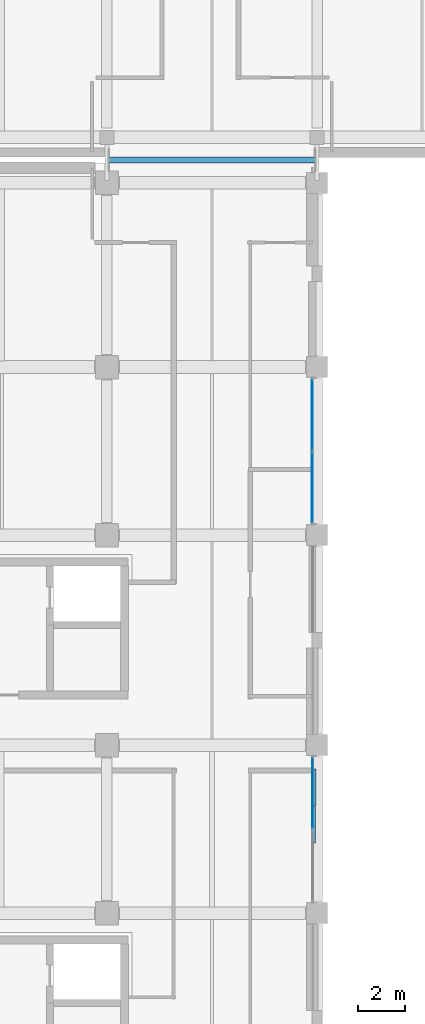
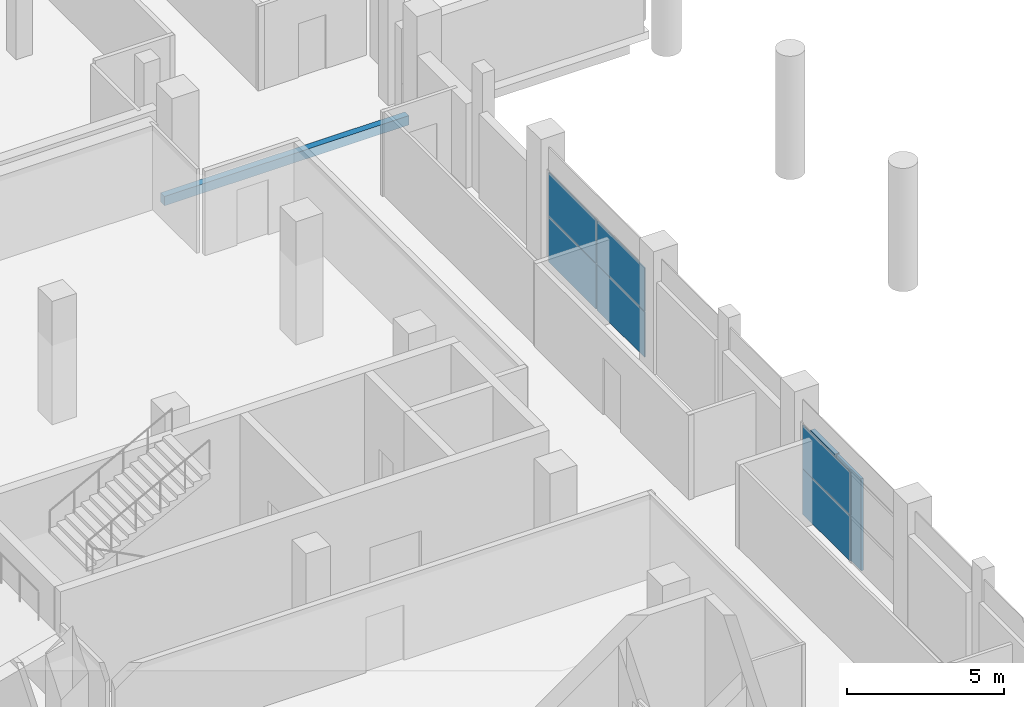
# One storey, part 47 of 100: 8 plates, 1 slab, 2 elements without a shape of their own.
"""IFC4 building model written with IfcOpenShell, lengths in metres."""

import ifcopenshell
import ifcopenshell.guid

model = None  # the IFC model being written
_history = None  # IfcOwnerHistory: only IFC2X3 demands one
_inside = {}  # id of a spatial element -> (the spatial element, [elements in it])
_under = {}  # id of a project, library or spatial element -> (it, [spatial elements below it])
_declared = {}  # id of a project -> (the project, [libraries it declares])
_typed = {}  # id of a type object -> (the type object, [elements of that type])
_made_of = {}  # id of a material, layer set ... -> (it, [elements and type objects made of it])


def new_model(schema):
    """Start an empty IFC model of exactly this schema.

    Asked for "IFC4X3", IfcOpenShell would pick the latest addendum, in which some entities
    have other attributes; the version numbers below select the first issue.
    IFC2X3 requires an IfcOwnerHistory on every rooted entity: one is made here for all.
    """
    global model, _history
    if schema == "IFC4X3":
        model = ifcopenshell.file(schema_version=(4, 3, 0, 0))
    else:
        model = ifcopenshell.file(schema=schema)
    _inside.clear()
    _under.clear()
    _declared.clear()
    _typed.clear()
    _made_of.clear()
    _history = None
    if model.schema == "IFC2X3":
        org = make("IfcOrganization", Name="unknown")
        user = make(
            "IfcPersonAndOrganization",
            ThePerson=make("IfcPerson", FamilyName="unknown"),
            TheOrganization=org,
        )
        app = make(
            "IfcApplication",
            ApplicationDeveloper=org,
            Version="unknown",
            ApplicationFullName="unknown",
            ApplicationIdentifier="unknown",
        )
        _history = make(
            "IfcOwnerHistory",
            OwningUser=user,
            OwningApplication=app,
            ChangeAction="ADDED",
            CreationDate=0,
        )
    return model


def make(cls, **values):
    """One entity of the class cls with the attributes given. An attribute that is None is left unset."""
    return model.create_entity(
        cls, **{name: value for name, value in values.items() if value is not None}
    )


def rooted(cls, **values):
    """An entity with a GlobalId (a new one), such as an element, a storey or a relation."""
    return make(cls, GlobalId=ifcopenshell.guid.new(), OwnerHistory=_history, **values)


def si_unit(unit_type, name, prefix=None):
    """IfcSIUnit, for example si_unit("LENGTHUNIT", "METRE", prefix="MILLI")."""
    return make("IfcSIUnit", UnitType=unit_type, Prefix=prefix, Name=name)


def assignment(units):
    """IfcUnitAssignment: the units of a project."""
    return None if units is None else make("IfcUnitAssignment", Units=units)


def point(xyz):
    """IfcCartesianPoint."""
    return None if xyz is None else make("IfcCartesianPoint", Coordinates=xyz)


def direction(xyz):
    """IfcDirection."""
    return None if xyz is None else make("IfcDirection", DirectionRatios=xyz)


def frame(location, z_axis=None, x_axis=None):
    """IfcAxis2Placement3D, a coordinate frame: its origin and axes. An axis left out is left unset."""
    return make(
        "IfcAxis2Placement3D",
        Location=point(location),
        Axis=direction(z_axis),
        RefDirection=direction(x_axis),
    )


def frame_2d(location, x_axis=None):
    """IfcAxis2Placement2D, a coordinate frame in the plane: its origin and x axis."""
    return make(
        "IfcAxis2Placement2D", Location=point(location), RefDirection=direction(x_axis)
    )


def origin():
    """The frame at (0, 0, 0) with its axes left unset."""
    return frame((0.0, 0.0, 0.0))


def origin_2d():
    """The frame at (0, 0) in the plane with its x axis left unset."""
    return frame_2d((0.0, 0.0))


def place(relative_to, where):
    """IfcLocalPlacement: puts the frame where relative to a parent placement (None: the world)."""
    return make(
        "IfcLocalPlacement", PlacementRelTo=relative_to, RelativePlacement=where
    )


def context(
    kind, dimensions, precision=None, world=None, true_north=None, identifier=None
):
    """IfcGeometricRepresentationContext, for example the 3D "Model" context."""
    return make(
        "IfcGeometricRepresentationContext",
        ContextIdentifier=identifier,
        ContextType=kind,
        CoordinateSpaceDimension=dimensions,
        Precision=precision,
        WorldCoordinateSystem=world,
        TrueNorth=true_north,
    )


def subcontext(parent, identifier, kind, view, scale=None):
    """IfcGeometricRepresentationSubContext, for example "Body" below "Model"."""
    return make(
        "IfcGeometricRepresentationSubContext",
        ContextIdentifier=identifier,
        ContextType=kind,
        ParentContext=parent,
        TargetScale=scale,
        TargetView=view,
    )


def project(units=None, contexts=None):
    """IfcProject with its units and contexts."""
    return rooted(
        "IfcProject",
        Name="project",
        RepresentationContexts=contexts,
        UnitsInContext=assignment(units),
    )


def spatial(cls, under=None, at=None, **own):
    """A site, building, storey or space (cls), placed at a placement, below another one or the project."""
    s = rooted(cls, ObjectPlacement=at, **own)
    if under is not None:
        _under.setdefault(under.id(), (under, []))[1].append(s)
    return s


def polyline(points):
    """IfcPolyline through the points."""
    return make("IfcPolyline", Points=[point(p) for p in points])


def profile(cls, at=None, kind="AREA", **sizes):
    """A parametric profile (cls). Its sizes go by their IFC names, for example OverallWidth=200.0."""
    return make(cls, ProfileType=kind, Position=at, **sizes)


def rectangle(**sizes):
    """IfcRectangleProfileDef."""
    return profile("IfcRectangleProfileDef", **sizes)


def outline(outer, holes=None, kind="AREA"):
    """IfcArbitraryClosedProfileDef: a profile drawn as a closed curve; with holes, ...WithVoids."""
    if holes is None:
        return make("IfcArbitraryClosedProfileDef", ProfileType=kind, OuterCurve=outer)
    return make(
        "IfcArbitraryProfileDefWithVoids",
        ProfileType=kind,
        OuterCurve=outer,
        InnerCurves=holes,
    )


def extrude(swept, where, along, depth):
    """IfcExtrudedAreaSolid: the profile swept, set in the frame where, extruded along a direction by depth."""
    return make(
        "IfcExtrudedAreaSolid",
        SweptArea=swept,
        Position=where,
        ExtrudedDirection=direction(along),
        Depth=depth,
    )


def shape(context_of_items, identifier, shape_type, items):
    """IfcShapeRepresentation: the items that make up one representation, for example the "Body"."""
    return make(
        "IfcShapeRepresentation",
        ContextOfItems=context_of_items,
        RepresentationIdentifier=identifier,
        RepresentationType=shape_type,
        Items=items,
    )


def material(Name=None, Category=None):
    """IfcMaterial."""
    return make("IfcMaterial", Name=Name, Category=Category)


def layer(
    of_material, thickness, ventilated=None, Name=None, Category=None, Priority=None
):
    """IfcMaterialLayer: one layer of a wall or slab, of a material (None: an air gap)."""
    return make(
        "IfcMaterialLayer",
        Material=of_material,
        LayerThickness=thickness,
        IsVentilated=ventilated,
        Name=Name,
        Category=Category,
        Priority=Priority,
    )


def layer_set(layers, Name=None):
    """IfcMaterialLayerSet."""
    return make("IfcMaterialLayerSet", MaterialLayers=layers, LayerSetName=Name)


def made_of(thing, what):
    """Note that an element or type object is made of a material, layer set ...; save() writes the relation."""
    if what is not None:
        _made_of.setdefault(what.id(), (what, []))[1].append(thing)
    return thing


def type_object(cls, material=None, **own):
    """A type object (cls), such as IfcWallType, which elements share."""
    return made_of(rooted(cls, **own), material)


def element(
    cls,
    number,
    at=None,
    inside=None,
    cuts=None,
    type_object=None,
    material=None,
    context=None,
    identifier="Body",
    shape_type=None,
    held_by="IfcProductDefinitionShape",
    body=None,
    shapes=None,
    **own,
):
    """One element of the class cls, such as IfcWall. Its Tag is "e" and its number.

    at: its placement. inside: the storey or other place that contains it. cuts: it is an
    opening in that element (IfcRelVoidsElement). A single representation is given by context,
    identifier, shape_type and body (its items); several are given by shapes. held_by: the class
    of the entity that holds the representations. save() writes the other relations.
    """
    e = rooted(cls, Tag="e%d" % number, ObjectPlacement=at, **own)
    if body is not None:
        shapes = [shape(context, identifier, shape_type, body)]
    if shapes is not None:
        e.Representation = make(held_by, Representations=shapes)
    if inside is not None:
        _inside.setdefault(inside.id(), (inside, []))[1].append(e)
    if cuts is not None:
        rooted(
            "IfcRelVoidsElement", RelatingBuildingElement=cuts, RelatedOpeningElement=e
        )
    if type_object is not None:
        _typed.setdefault(type_object.id(), (type_object, []))[1].append(e)
    return made_of(e, material)


def aggregate(whole, parts):
    """IfcRelAggregates: a whole, such as a stair, and the parts it consists of."""
    return rooted("IfcRelAggregates", RelatingObject=whole, RelatedObjects=parts)


def save(model, path):
    """Write the relations noted so far, then the file.

    IfcRelAggregates (storeys below a building ...), IfcRelContainedInSpatialStructure (elements
    in a storey), IfcRelDefinesByType, IfcRelAssociatesMaterial and IfcRelDeclares: one each for
    every whole, place, type object, material and project.
    """
    for whole, parts in _under.values():
        aggregate(whole, parts)
    for where, things in _inside.values():
        rooted(
            "IfcRelContainedInSpatialStructure",
            RelatedElements=things,
            RelatingStructure=where,
        )
    for kind, things in _typed.values():
        rooted("IfcRelDefinesByType", RelatedObjects=things, RelatingType=kind)
    for what, things in _made_of.values():
        rooted("IfcRelAssociatesMaterial", RelatedObjects=things, RelatingMaterial=what)
    for by, libraries in _declared.values():
        rooted("IfcRelDeclares", RelatingContext=by, RelatedDefinitions=libraries)
    model.write(path)


model = new_model("IFC4")

# Units and contexts
model_context = context("Model", 3, precision=1e-05, world=origin(), true_north=direction((0.0, 1.0)))
body_context = subcontext(model_context, "Body", "Model", "MODEL_VIEW")
ifc_project = project(units=[si_unit("LENGTHUNIT", "METRE"), si_unit("AREAUNIT", "SQUARE_METRE"), si_unit("VOLUMEUNIT", "CUBIC_METRE"), si_unit("PLANEANGLEUNIT", "RADIAN"), si_unit("MASSUNIT", "GRAM", prefix="KILO"), si_unit("THERMODYNAMICTEMPERATUREUNIT", "KELVIN"), si_unit("POWERUNIT", "WATT")], contexts=[model_context])

# Site, building, storey
site_placement = place(None, origin())
site = spatial("IfcSite", under=ifc_project, at=site_placement, CompositionType="ELEMENT")
building_placement = place(site_placement, origin())
building = spatial("IfcBuilding", under=site, at=building_placement, Name="Sindhuravela Promenade Stadium", CompositionType="ELEMENT")
storey_placement = place(building_placement, frame((0.0, 0.0, 4.800048828125)))
storey = spatial("IfcBuildingStorey", under=building, at=storey_placement, Name="L01", CompositionType="ELEMENT", Elevation=4.800048828125)

# Plates
ifc_material_1 = material(Name="Perforated terracotta celosia brick (15 MPa)", Category="masonry")
ifc_layer_1 = layer(ifc_material_1, 0.090087890625)
ifc_layer_set_1 = layer_set([ifc_layer_1], Name="Perforated terracotta celosia brick (15 MPa)")
plate_type_1 = type_object("IfcPlateType", Name="CL-SCR-01", PredefinedType="USERDEFINED", material=ifc_layer_set_1)
plate_1_placement = place(storey_placement, frame((206.8798828125, 97.39501953125, 0.0), z_axis=(0.0, 0.0, 1.0), x_axis=(0.0, -1.0, 0.0)))
element("IfcPlate", 1, at=plate_1_placement, inside=storey, type_object=plate_type_1, Name="Perforated brick celosia screen EAST L01-88", ObjectType="SCREEN PANEL", PredefinedType="USERDEFINED", context=body_context, shape_type="SweptSolid", body=[
    extrude(rectangle(XDim=1.56005859375, YDim=0.090087890625, at=origin_2d()), origin(), (0.0, 0.0, 1.0), 3.580078125),
])
ifc_layer_2 = layer(ifc_material_1, 0.1650390625)
ifc_layer_set_2 = layer_set([ifc_layer_2], Name="Perforated terracotta celosia brick (15 MPa)")
plate_type_2 = type_object("IfcPlateType", Name="CL-SCR-04", PredefinedType="USERDEFINED", material=ifc_layer_set_2)
plate_2_placement = place(storey_placement, frame((206.8798828125, 98.9951171875, 0.0), z_axis=(0.0, 0.0, 1.0), x_axis=(0.0, -1.0, 0.0)))
element("IfcPlate", 2, at=plate_2_placement, inside=storey, type_object=plate_type_2, Name="Perforated brick celosia screen EAST L01-87", ObjectType="SCREEN PANEL", PredefinedType="USERDEFINED", context=body_context, shape_type="SweptSolid", body=[
    extrude(rectangle(XDim=1.56005859375, YDim=0.1650390625, at=origin_2d()), origin(), (0.0, 0.0, 1.0), 3.580078125),
])

# Curtain wall, plates
ifc_material_2 = material(Name="Anodised architectural aluminium 6063-T6", Category="aluminium")
curtain_wall_type_1 = type_object("IfcCurtainWallType", Name="CW-MOD-1", PredefinedType="NOTDEFINED", material=ifc_material_2)
curtain_wall_1_placement = place(storey_placement, origin())
curtain_wall_1 = element("IfcCurtainWall", 3, at=curtain_wall_1_placement, inside=storey, type_object=curtain_wall_type_1, Name="Bronze curtain wall CW-EAST-L01-088", PredefinedType="NOTDEFINED")
ifc_material_3 = material(Name="Tempered laminated low-E glass", Category="glass")
ifc_layer_3 = layer(ifc_material_3, 0.028076171875)
ifc_layer_set_3 = layer_set([ifc_layer_3], Name="Tempered laminated low-E glass")
plate_type_3 = type_object("IfcPlateType", Name="CW-PNL-01", PredefinedType="CURTAIN_PANEL", material=ifc_layer_set_3)
plate_3_placement = place(storey_placement, frame((206.800048828125, 98.75, 0.01513671875), z_axis=(0.0, 0.0, 1.0), x_axis=(0.0, -1.0, 0.0)))
plate_3 = element("IfcPlate", 4, at=plate_3_placement, type_object=plate_type_3, Name="Glazed curtain panel CW-EAST-L01-088-P1.1", PredefinedType="CURTAIN_PANEL", context=body_context, shape_type="SweptSolid", body=[
    extrude(rectangle(XDim=3.0400390625, YDim=0.028076171875, at=origin_2d()), origin(), (0.0, 0.0, 1.0), 1.760009765625),
])
plate_4_placement = place(storey_placement, frame((206.800048828125, 98.75, 1.80517578125), z_axis=(0.0, 0.0, 1.0), x_axis=(0.0, -1.0, 0.0)))
plate_4 = element("IfcPlate", 5, at=plate_4_placement, type_object=plate_type_3, Name="Glazed curtain panel CW-EAST-L01-088-P1.2", PredefinedType="CURTAIN_PANEL", context=body_context, shape_type="SweptSolid", body=[
    extrude(rectangle(XDim=3.0400390625, YDim=0.028076171875, at=origin_2d()), origin(), (0.0, 0.0, 1.0), 1.679931640625),
])
aggregate(curtain_wall_1, [plate_3, plate_4])

curtain_wall_type_2 = type_object("IfcCurtainWallType", Name="CW-MOD-8", PredefinedType="NOTDEFINED", material=ifc_material_2)
curtain_wall_2_placement = place(storey_placement, origin())
curtain_wall_2 = element("IfcCurtainWall", 6, at=curtain_wall_2_placement, inside=storey, type_object=curtain_wall_type_2, Name="Bronze curtain wall CW-EAST-L01-087", PredefinedType="NOTDEFINED")
ifc_layer_4 = layer(ifc_material_3, 0.0400390625)
ifc_layer_set_4 = layer_set([ifc_layer_4], Name="Tempered laminated low-E glass")
plate_type_4 = type_object("IfcPlateType", Name="CW-PNL-02", PredefinedType="CURTAIN_PANEL", material=ifc_layer_set_4)
plate_5_placement = place(storey_placement, frame((206.800048828125, 114.949951171875, 0.01513671875), z_axis=(0.0, 0.0, 1.0), x_axis=(0.0, -1.0, 0.0)))
plate_5 = element("IfcPlate", 7, at=plate_5_placement, type_object=plate_type_4, Name="Glazed curtain panel CW-EAST-L01-087-P1.1", PredefinedType="CURTAIN_PANEL", context=body_context, shape_type="SweptSolid", body=[
    extrude(rectangle(XDim=3.0400390625, YDim=0.0400390625, at=origin_2d()), origin(), (0.0, 0.0, 1.0), 1.760009765625),
])
plate_6_placement = place(storey_placement, frame((206.800048828125, 114.949951171875, 1.80517578125), z_axis=(0.0, 0.0, 1.0), x_axis=(0.0, -1.0, 0.0)))
plate_6 = element("IfcPlate", 8, at=plate_6_placement, type_object=plate_type_4, Name="Glazed curtain panel CW-EAST-L01-087-P1.2", PredefinedType="CURTAIN_PANEL", context=body_context, shape_type="SweptSolid", body=[
    extrude(rectangle(XDim=3.0400390625, YDim=0.0400390625, at=origin_2d()), origin(), (0.0, 0.0, 1.0), 1.679931640625),
])
plate_7_placement = place(storey_placement, frame((206.800048828125, 111.85009765625, 0.01513671875), z_axis=(0.0, 0.0, 1.0), x_axis=(0.0, -1.0, 0.0)))
plate_7 = element("IfcPlate", 9, at=plate_7_placement, type_object=plate_type_4, Name="Glazed curtain panel CW-EAST-L01-087-P2.1", PredefinedType="CURTAIN_PANEL", context=body_context, shape_type="SweptSolid", body=[
    extrude(rectangle(XDim=3.0400390625, YDim=0.0400390625, at=origin_2d()), origin(), (0.0, 0.0, 1.0), 1.760009765625),
])
plate_8_placement = place(storey_placement, frame((206.800048828125, 111.85009765625, 1.80517578125), z_axis=(0.0, 0.0, 1.0), x_axis=(0.0, -1.0, 0.0)))
plate_8 = element("IfcPlate", 10, at=plate_8_placement, type_object=plate_type_4, Name="Glazed curtain panel CW-EAST-L01-087-P2.2", PredefinedType="CURTAIN_PANEL", context=body_context, shape_type="SweptSolid", body=[
    extrude(rectangle(XDim=3.0400390625, YDim=0.0400390625, at=origin_2d()), origin(), (0.0, 0.0, 1.0), 1.679931640625),
])
aggregate(curtain_wall_2, [plate_5, plate_6, plate_7, plate_8])

# Slab
ifc_material_4 = material(Name="Concrete M50", Category="concrete")
ifc_layer_5 = layer(ifc_material_4, 0.360107421875)
ifc_layer_set_5 = layer_set([ifc_layer_5], Name="Concrete M50")
slab_type = type_object("IfcSlabType", Name="SL-BRG-360", PredefinedType="FLOOR", material=ifc_layer_set_5)
slab_placement = place(storey_placement, frame((0.0, 0.0, -0.360107421875)))
element("IfcSlab", 11, at=slab_placement, inside=storey, type_object=slab_type, Name="Concourse link bridge L01 East-NE", PredefinedType="FLOOR", context=body_context, shape_type="SweptSolid", body=[
    extrude(outline(polyline([(198.0, 125.75), (207.0, 125.75), (207.0, 126.0), (198.0, 126.0), (198.0, 125.75)])), origin(), (0.0, 0.0, 1.0), 0.360107421875),
])

save(model, "model.ifc")
